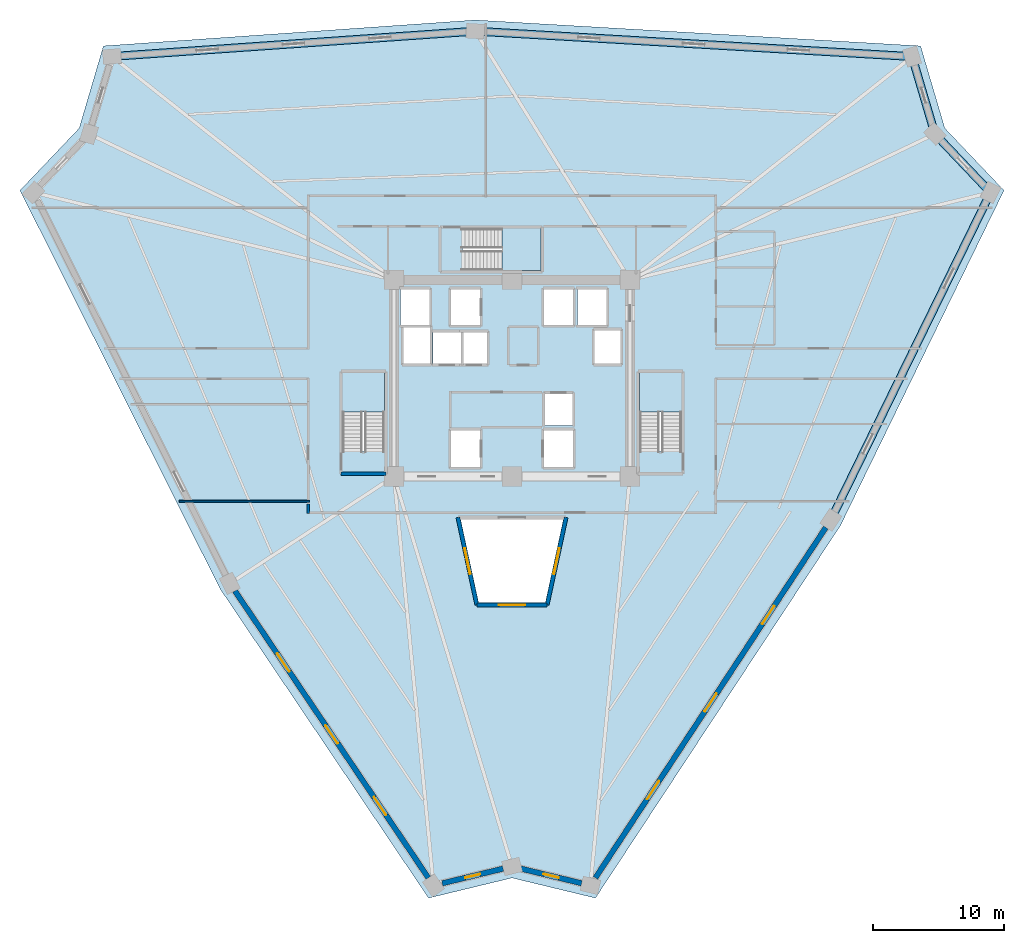
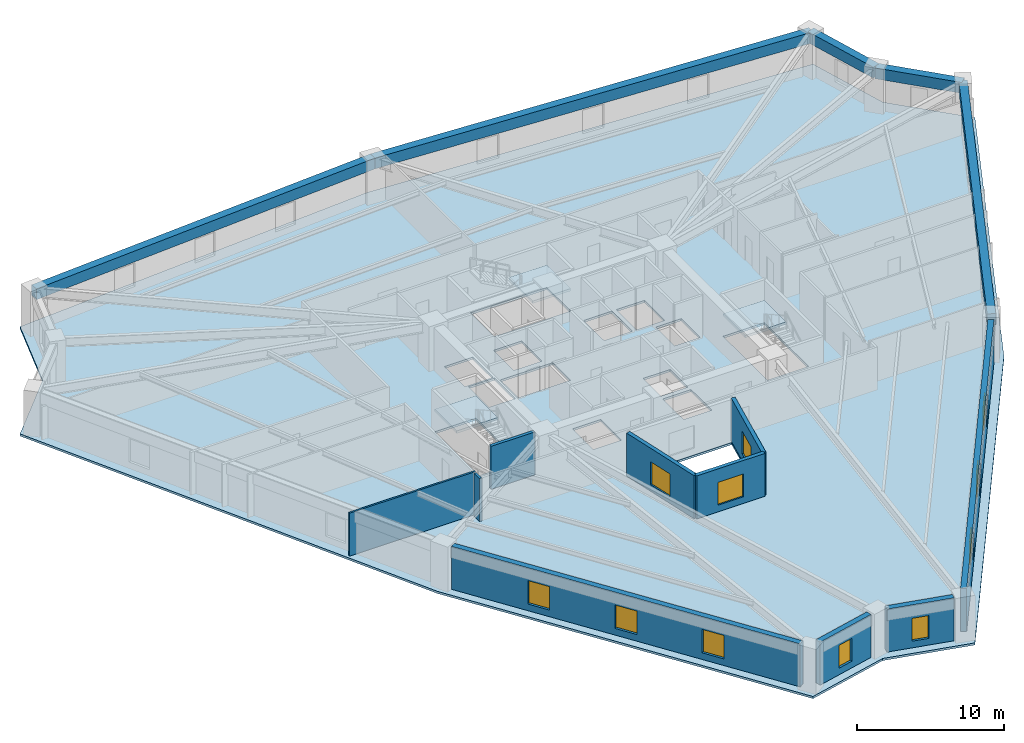
# One storey, part 2 of 7: 11 windows, 10 walls, 5 beams, 4 slabs, 11 openings, 3 elements without a shape of their own.
"""IFC4 building model written with IfcOpenShell, lengths in metres."""

import ifcopenshell
import ifcopenshell.guid

model = None  # the IFC model being written
_history = None  # IfcOwnerHistory: only IFC2X3 demands one
_inside = {}  # id of a spatial element -> (the spatial element, [elements in it])
_under = {}  # id of a project, library or spatial element -> (it, [spatial elements below it])
_declared = {}  # id of a project -> (the project, [libraries it declares])
_typed = {}  # id of a type object -> (the type object, [elements of that type])
_made_of = {}  # id of a material, layer set ... -> (it, [elements and type objects made of it])


def new_model(schema):
    """Start an empty IFC model of exactly this schema.

    Asked for "IFC4X3", IfcOpenShell would pick the latest addendum, in which some entities
    have other attributes; the version numbers below select the first issue.
    IFC2X3 requires an IfcOwnerHistory on every rooted entity: one is made here for all.
    """
    global model, _history
    if schema == "IFC4X3":
        model = ifcopenshell.file(schema_version=(4, 3, 0, 0))
    else:
        model = ifcopenshell.file(schema=schema)
    _inside.clear()
    _under.clear()
    _declared.clear()
    _typed.clear()
    _made_of.clear()
    _history = None
    if model.schema == "IFC2X3":
        org = make("IfcOrganization", Name="unknown")
        user = make(
            "IfcPersonAndOrganization",
            ThePerson=make("IfcPerson", FamilyName="unknown"),
            TheOrganization=org,
        )
        app = make(
            "IfcApplication",
            ApplicationDeveloper=org,
            Version="unknown",
            ApplicationFullName="unknown",
            ApplicationIdentifier="unknown",
        )
        _history = make(
            "IfcOwnerHistory",
            OwningUser=user,
            OwningApplication=app,
            ChangeAction="ADDED",
            CreationDate=0,
        )
    return model


def make(cls, **values):
    """One entity of the class cls with the attributes given. An attribute that is None is left unset."""
    return model.create_entity(
        cls, **{name: value for name, value in values.items() if value is not None}
    )


def rooted(cls, **values):
    """An entity with a GlobalId (a new one), such as an element, a storey or a relation."""
    return make(cls, GlobalId=ifcopenshell.guid.new(), OwnerHistory=_history, **values)


def si_unit(unit_type, name, prefix=None):
    """IfcSIUnit, for example si_unit("LENGTHUNIT", "METRE", prefix="MILLI")."""
    return make("IfcSIUnit", UnitType=unit_type, Prefix=prefix, Name=name)


def assignment(units):
    """IfcUnitAssignment: the units of a project."""
    return None if units is None else make("IfcUnitAssignment", Units=units)


def point(xyz):
    """IfcCartesianPoint."""
    return None if xyz is None else make("IfcCartesianPoint", Coordinates=xyz)


def direction(xyz):
    """IfcDirection."""
    return None if xyz is None else make("IfcDirection", DirectionRatios=xyz)


def frame(location, z_axis=None, x_axis=None):
    """IfcAxis2Placement3D, a coordinate frame: its origin and axes. An axis left out is left unset."""
    return make(
        "IfcAxis2Placement3D",
        Location=point(location),
        Axis=direction(z_axis),
        RefDirection=direction(x_axis),
    )


def frame_2d(location, x_axis=None):
    """IfcAxis2Placement2D, a coordinate frame in the plane: its origin and x axis."""
    return make(
        "IfcAxis2Placement2D", Location=point(location), RefDirection=direction(x_axis)
    )


def origin():
    """The frame at (0, 0, 0) with its axes left unset."""
    return frame((0.0, 0.0, 0.0))


def origin_2d():
    """The frame at (0, 0) in the plane with its x axis left unset."""
    return frame_2d((0.0, 0.0))


def place(relative_to, where):
    """IfcLocalPlacement: puts the frame where relative to a parent placement (None: the world)."""
    return make(
        "IfcLocalPlacement", PlacementRelTo=relative_to, RelativePlacement=where
    )


def context(
    kind, dimensions, precision=None, world=None, true_north=None, identifier=None
):
    """IfcGeometricRepresentationContext, for example the 3D "Model" context."""
    return make(
        "IfcGeometricRepresentationContext",
        ContextIdentifier=identifier,
        ContextType=kind,
        CoordinateSpaceDimension=dimensions,
        Precision=precision,
        WorldCoordinateSystem=world,
        TrueNorth=true_north,
    )


def subcontext(parent, identifier, kind, view, scale=None):
    """IfcGeometricRepresentationSubContext, for example "Body" below "Model"."""
    return make(
        "IfcGeometricRepresentationSubContext",
        ContextIdentifier=identifier,
        ContextType=kind,
        ParentContext=parent,
        TargetScale=scale,
        TargetView=view,
    )


def project(units=None, contexts=None):
    """IfcProject with its units and contexts."""
    return rooted(
        "IfcProject",
        Name="project",
        RepresentationContexts=contexts,
        UnitsInContext=assignment(units),
    )


def spatial(cls, under=None, at=None, **own):
    """A site, building, storey or space (cls), placed at a placement, below another one or the project."""
    s = rooted(cls, ObjectPlacement=at, **own)
    if under is not None:
        _under.setdefault(under.id(), (under, []))[1].append(s)
    return s


def polyline(points):
    """IfcPolyline through the points."""
    return make("IfcPolyline", Points=[point(p) for p in points])


def profile(cls, at=None, kind="AREA", **sizes):
    """A parametric profile (cls). Its sizes go by their IFC names, for example OverallWidth=200.0."""
    return make(cls, ProfileType=kind, Position=at, **sizes)


def rectangle(**sizes):
    """IfcRectangleProfileDef."""
    return profile("IfcRectangleProfileDef", **sizes)


def outline(outer, holes=None, kind="AREA"):
    """IfcArbitraryClosedProfileDef: a profile drawn as a closed curve; with holes, ...WithVoids."""
    if holes is None:
        return make("IfcArbitraryClosedProfileDef", ProfileType=kind, OuterCurve=outer)
    return make(
        "IfcArbitraryProfileDefWithVoids",
        ProfileType=kind,
        OuterCurve=outer,
        InnerCurves=holes,
    )


def extrude(swept, where, along, depth):
    """IfcExtrudedAreaSolid: the profile swept, set in the frame where, extruded along a direction by depth."""
    return make(
        "IfcExtrudedAreaSolid",
        SweptArea=swept,
        Position=where,
        ExtrudedDirection=direction(along),
        Depth=depth,
    )


def shape(context_of_items, identifier, shape_type, items):
    """IfcShapeRepresentation: the items that make up one representation, for example the "Body"."""
    return make(
        "IfcShapeRepresentation",
        ContextOfItems=context_of_items,
        RepresentationIdentifier=identifier,
        RepresentationType=shape_type,
        Items=items,
    )


def source(mapping_origin, context_of_items, identifier, shape_type, items):
    """IfcRepresentationMap: a shape defined once, which mapped items show again and again."""
    return make(
        "IfcRepresentationMap",
        MappingOrigin=mapping_origin,
        MappedRepresentation=shape(context_of_items, identifier, shape_type, items),
    )


def transform(
    local_origin,
    x_axis=None,
    y_axis=None,
    z_axis=None,
    scale=None,
    scale2=None,
    scale3=None,
    uniform=True,
):
    """IfcCartesianTransformationOperator3D, or its non-uniform kind. x_axis, y_axis, z_axis: its Axis1, 2, 3."""
    if uniform:
        return make(
            "IfcCartesianTransformationOperator3D",
            Axis1=direction(x_axis),
            Axis2=direction(y_axis),
            LocalOrigin=point(local_origin),
            Scale=scale,
            Axis3=direction(z_axis),
        )
    return make(
        "IfcCartesianTransformationOperator3DnonUniform",
        Axis1=direction(x_axis),
        Axis2=direction(y_axis),
        LocalOrigin=point(local_origin),
        Scale=scale,
        Axis3=direction(z_axis),
        Scale2=scale2,
        Scale3=scale3,
    )


def mapped(mapping_source, mapping_target):
    """IfcMappedItem: shows the shape of a source again, moved by a transform."""
    return make(
        "IfcMappedItem", MappingSource=mapping_source, MappingTarget=mapping_target
    )


def material(Name=None, Category=None):
    """IfcMaterial."""
    return make("IfcMaterial", Name=Name, Category=Category)


def layer(
    of_material, thickness, ventilated=None, Name=None, Category=None, Priority=None
):
    """IfcMaterialLayer: one layer of a wall or slab, of a material (None: an air gap)."""
    return make(
        "IfcMaterialLayer",
        Material=of_material,
        LayerThickness=thickness,
        IsVentilated=ventilated,
        Name=Name,
        Category=Category,
        Priority=Priority,
    )


def layer_set(layers, Name=None):
    """IfcMaterialLayerSet."""
    return make("IfcMaterialLayerSet", MaterialLayers=layers, LayerSetName=Name)


def material_profile(
    of_material, cross_section, Name=None, Category=None, Priority=None
):
    """IfcMaterialProfile: a cross section and its material."""
    return make(
        "IfcMaterialProfile",
        Name=Name,
        Material=of_material,
        Profile=cross_section,
        Priority=Priority,
        Category=Category,
    )


def profile_set(profiles, Name=None, composite=None):
    """IfcMaterialProfileSet."""
    return make(
        "IfcMaterialProfileSet",
        Name=Name,
        MaterialProfiles=profiles,
        CompositeProfile=composite,
    )


def made_of(thing, what):
    """Note that an element or type object is made of a material, layer set ...; save() writes the relation."""
    if what is not None:
        _made_of.setdefault(what.id(), (what, []))[1].append(thing)
    return thing


def type_object(cls, material=None, **own):
    """A type object (cls), such as IfcWallType, which elements share."""
    return made_of(rooted(cls, **own), material)


def element(
    cls,
    number,
    at=None,
    inside=None,
    cuts=None,
    type_object=None,
    material=None,
    context=None,
    identifier="Body",
    shape_type=None,
    held_by="IfcProductDefinitionShape",
    body=None,
    shapes=None,
    **own,
):
    """One element of the class cls, such as IfcWall. Its Tag is "e" and its number.

    at: its placement. inside: the storey or other place that contains it. cuts: it is an
    opening in that element (IfcRelVoidsElement). A single representation is given by context,
    identifier, shape_type and body (its items); several are given by shapes. held_by: the class
    of the entity that holds the representations. save() writes the other relations.
    """
    e = rooted(cls, Tag="e%d" % number, ObjectPlacement=at, **own)
    if body is not None:
        shapes = [shape(context, identifier, shape_type, body)]
    if shapes is not None:
        e.Representation = make(held_by, Representations=shapes)
    if inside is not None:
        _inside.setdefault(inside.id(), (inside, []))[1].append(e)
    if cuts is not None:
        rooted(
            "IfcRelVoidsElement", RelatingBuildingElement=cuts, RelatedOpeningElement=e
        )
    if type_object is not None:
        _typed.setdefault(type_object.id(), (type_object, []))[1].append(e)
    return made_of(e, material)


def fill(opening, filler):
    """IfcRelFillsElement: the door or window that sits in an opening."""
    return rooted(
        "IfcRelFillsElement",
        RelatingOpeningElement=opening,
        RelatedBuildingElement=filler,
    )


def aggregate(whole, parts):
    """IfcRelAggregates: a whole, such as a stair, and the parts it consists of."""
    return rooted("IfcRelAggregates", RelatingObject=whole, RelatedObjects=parts)


def save(model, path):
    """Write the relations noted so far, then the file.

    IfcRelAggregates (storeys below a building ...), IfcRelContainedInSpatialStructure (elements
    in a storey), IfcRelDefinesByType, IfcRelAssociatesMaterial and IfcRelDeclares: one each for
    every whole, place, type object, material and project.
    """
    for whole, parts in _under.values():
        aggregate(whole, parts)
    for where, things in _inside.values():
        rooted(
            "IfcRelContainedInSpatialStructure",
            RelatedElements=things,
            RelatingStructure=where,
        )
    for kind, things in _typed.values():
        rooted("IfcRelDefinesByType", RelatedObjects=things, RelatingType=kind)
    for what, things in _made_of.values():
        rooted("IfcRelAssociatesMaterial", RelatedObjects=things, RelatingMaterial=what)
    for by, libraries in _declared.values():
        rooted("IfcRelDeclares", RelatingContext=by, RelatedDefinitions=libraries)
    model.write(path)


model = new_model("IFC4")

# Units and contexts
model_context = context("Model", 3, precision=1e-05, world=origin(), true_north=direction((0.0, 1.0)))
body_context = subcontext(model_context, "Body", "Model", "MODEL_VIEW")
ifc_project = project(units=[si_unit("LENGTHUNIT", "METRE"), si_unit("AREAUNIT", "SQUARE_METRE"), si_unit("VOLUMEUNIT", "CUBIC_METRE"), si_unit("PLANEANGLEUNIT", "RADIAN"), si_unit("MASSUNIT", "GRAM", prefix="KILO")], contexts=[model_context])

# Site, building, storey
site_placement = place(None, origin())
site = spatial("IfcSite", under=ifc_project, at=site_placement, CompositionType="ELEMENT")
building_placement = place(site_placement, origin())
building = spatial("IfcBuilding", under=site, at=building_placement, Name="Liaohun Quay Tower", CompositionType="ELEMENT")
storey_placement = place(building_placement, frame((0.0, 0.0, 113.25)))
storey = spatial("IfcBuildingStorey", under=building, at=storey_placement, Name="L29", CompositionType="ELEMENT", Elevation=113.25)

# Beams
ifc_material_1 = material(Name="Precast concrete C55", Category="concrete")
ifc_material_profile = material_profile(ifc_material_1, rectangle(XDim=0.60009765625, YDim=0.89990234375, at=origin_2d()), Name="RC600x900")
ifc_profile_set = profile_set([ifc_material_profile], Name="Precast concrete C55")
beam_type = type_object("IfcBeamType", Name="BM-SPD-Z2", PredefinedType="SPANDREL", material=ifc_profile_set)
shared_shape_1 = source(origin(), body_context, "Body", "SweptSolid", [
    extrude(rectangle(XDim=0.60009765625, YDim=0.89990234375, at=origin_2d()), origin(), (0.0, 0.0, 1.0), 27.793212890625),
])
beam_1_placement = place(storey_placement, frame((29.472900390625, 78.54296875, 3.1201171875), z_axis=(0.997580714148, 0.069517758588, 0.0), x_axis=(-0.069517758588, 0.997580714148, 0.0)))
element("IfcBeam", 1, at=beam_1_placement, inside=storey, type_object=beam_type, Name="L29 Precast Spandrel Beam PC05-PC06", PredefinedType="SPANDREL", context=body_context, shape_type="MappedRepresentation", body=[
    mapped(shared_shape_1, transform((0.0, 0.0, 0.0), x_axis=(1.0, 0.0, 0.0), y_axis=(0.0, 1.0, 0.0), z_axis=(0.0, 0.0, 1.0), scale=1.0)),
])
shared_shape_2 = source(origin(), body_context, "Body", "SweptSolid", [
    extrude(rectangle(XDim=0.60009765625, YDim=0.89990234375, at=origin_2d()), origin(), (0.0, 0.0, 1.0), 33.386474609375),
])
beam_2_placement = place(storey_placement, frame((57.198974609375, 80.47509765625, 3.1201171875), z_axis=(0.99831171537, -0.058083723668, 0.0), x_axis=(0.058083723668, 0.99831171537, 0.0)))
element("IfcBeam", 2, at=beam_2_placement, inside=storey, type_object=beam_type, Name="L29 Precast Spandrel Beam PC06-PC07", PredefinedType="SPANDREL", context=body_context, shape_type="MappedRepresentation", body=[
    mapped(shared_shape_2, transform((0.0, 0.0, 0.0), x_axis=(1.0, 0.0, 0.0), y_axis=(0.0, 1.0, 0.0), z_axis=(0.0, 0.0, 1.0), scale=1.0)),
])
shared_shape_3 = source(origin(), body_context, "Body", "SweptSolid", [
    extrude(rectangle(XDim=0.60009765625, YDim=0.89990234375, at=origin_2d()), origin(), (0.0, 0.0, 1.0), 6.15576171875),
])
beam_3_placement = place(storey_placement, frame((90.529052734375, 78.535888671875, 3.1201171875), z_axis=(0.282657997194, -0.959220754895, 0.0), x_axis=(0.959220754895, 0.282657997194, 0.0)))
element("IfcBeam", 3, at=beam_3_placement, inside=storey, type_object=beam_type, Name="L29 Precast Spandrel Beam PC07-PC08", PredefinedType="SPANDREL", context=body_context, shape_type="MappedRepresentation", body=[
    mapped(shared_shape_3, transform((0.0, 0.0, 0.0), x_axis=(1.0, 0.0, 0.0), y_axis=(0.0, 1.0, 0.0), z_axis=(0.0, 0.0, 1.0), scale=1.0)),
])
shared_shape_4 = source(origin(), body_context, "Body", "SweptSolid", [
    extrude(rectangle(XDim=0.60009765625, YDim=0.89990234375, at=origin_2d()), origin(), (0.0, 0.0, 1.0), 6.164306640625),
])
beam_4_placement = place(storey_placement, frame((92.26904296875, 72.631103515625, 3.1201171875), z_axis=(0.689283238338, -0.724491971899, 0.0), x_axis=(0.724491971899, 0.689283238338, 0.0)))
element("IfcBeam", 4, at=beam_4_placement, inside=storey, type_object=beam_type, Name="L29 Precast Spandrel Beam PC08-PC09", PredefinedType="SPANDREL", context=body_context, shape_type="MappedRepresentation", body=[
    mapped(shared_shape_4, transform((0.0, 0.0, 0.0), x_axis=(1.0, 0.0, 0.0), y_axis=(0.0, 1.0, 0.0), z_axis=(0.0, 0.0, 1.0), scale=1.0)),
])
shared_shape_5 = source(origin(), body_context, "Body", "SweptSolid", [
    extrude(rectangle(XDim=0.60009765625, YDim=0.89990234375, at=origin_2d()), origin(), (0.0, 0.0, 1.0), 27.79248046875),
])
beam_5_placement = place(storey_placement, frame((96.51806640625, 68.1650390625, 3.1201171875), z_axis=(-0.438570044157, -0.898697010326, 0.0), x_axis=(0.898697010326, -0.438570044157, 0.0)))
element("IfcBeam", 5, at=beam_5_placement, inside=storey, type_object=beam_type, Name="L29 Precast Spandrel Beam PC09-PC10", PredefinedType="SPANDREL", context=body_context, shape_type="MappedRepresentation", body=[
    mapped(shared_shape_5, transform((0.0, 0.0, 0.0), x_axis=(1.0, 0.0, 0.0), y_axis=(0.0, 1.0, 0.0), z_axis=(0.0, 0.0, 1.0), scale=1.0)),
])

# Stair, slab
ifc_material_2 = material(Name="Concrete C45", Category="concrete")
stair_type = type_object("IfcStairType", Name="STR-CORE-OFF", PredefinedType="HALF_TURN_STAIR", material=ifc_material_2)
stair_1_placement = place(storey_placement, origin())
stair_1 = element("IfcStair", 6, at=stair_1_placement, inside=storey, type_object=stair_type, Name="L29 Smokeproof Core Exit Stair ST-1", PredefinedType="HALF_TURN_STAIR")
ifc_layer_1 = layer(ifc_material_2, 0.199951171875, Name="Concrete C45", Category="concrete")
ifc_layer_set_1 = layer_set([ifc_layer_1], Name="Concrete C45")
slab_type_1 = type_object("IfcSlabType", Name="SLB-LND-200", PredefinedType="LANDING", material=ifc_layer_set_1)
slab_1_placement = place(storey_placement, frame((0.0, 0.0, 1.675048828125)))
slab_1 = element("IfcSlab", 7, at=slab_1_placement, type_object=slab_type_1, Name="ST-1 landing 1", PredefinedType="LANDING", context=body_context, shape_type="SweptSolid", body=[
    extrude(outline(polyline([(50.280029296875, 51.429931640625), (50.280029296875, 54.419921875), (47.0400390625, 54.419921875), (47.0400390625, 51.429931640625), (50.280029296875, 51.429931640625)])), origin(), (0.0, 0.0, 1.0), 0.199951171875),
])
aggregate(stair_1, [slab_1])

stair_2_placement = place(storey_placement, origin())
stair_2 = element("IfcStair", 8, at=stair_2_placement, inside=storey, type_object=stair_type, Name="L29 Smokeproof Core Exit Stair ST-2", PredefinedType="HALF_TURN_STAIR")
slab_2_placement = place(storey_placement, frame((0.0, 0.0, 1.675048828125)))
slab_2 = element("IfcSlab", 9, at=slab_2_placement, type_object=slab_type_1, Name="ST-2 landing 1", PredefinedType="LANDING", context=body_context, shape_type="SweptSolid", body=[
    extrude(outline(polyline([(72.9599609375, 51.429931640625), (72.9599609375, 54.419921875), (69.719970703125, 54.419921875), (69.719970703125, 51.429931640625), (72.9599609375, 51.429931640625)])), origin(), (0.0, 0.0, 1.0), 0.199951171875),
])
aggregate(stair_2, [slab_2])

stair_3_placement = place(storey_placement, origin())
stair_3 = element("IfcStair", 10, at=stair_3_placement, inside=storey, type_object=stair_type, Name="L29 Smokeproof Core Exit Stair ST-3", PredefinedType="HALF_TURN_STAIR")
slab_3_placement = place(storey_placement, frame((0.0, 0.0, 1.675048828125)))
slab_3 = element("IfcSlab", 11, at=slab_3_placement, type_object=slab_type_1, Name="ST-3 landing 1", PredefinedType="LANDING", context=body_context, shape_type="SweptSolid", body=[
    extrude(outline(polyline([(59.22998046875, 62.199951171875), (62.219970703125, 62.199951171875), (62.219970703125, 65.43994140625), (59.22998046875, 65.43994140625), (59.22998046875, 62.199951171875)])), origin(), (0.0, 0.0, 1.0), 0.199951171875),
])
aggregate(stair_3, [slab_3])

# Slab
ifc_layer_2 = layer(ifc_material_2, 0.179931640625, Name="Concrete C45", Category="concrete")
ifc_layer_set_2 = layer_set([ifc_layer_2], Name="Concrete C45")
slab_type_2 = type_object("IfcSlabType", Name="SLB-OFF-180", PredefinedType="FLOOR", material=ifc_layer_set_2)
slab_4_placement = place(storey_placement, frame((0.0, 0.0, -0.179931640625)))
element("IfcSlab", 12, at=slab_4_placement, inside=storey, type_object=slab_type_2, Name="L29 Structural Floor Slab", PredefinedType="FLOOR", context=body_context, shape_type="SweptSolid", body=[
    extrude(outline(polyline([(53.633056640625, 14.326904296875), (60.0, 15.864013671875), (66.366943359375, 14.326904296875), (85.069091796875, 42.76611328125), (97.541015625, 68.322998046875), (93.02587890625, 73.068115234375), (91.175048828125, 79.35009765625), (57.194091796875, 81.326904296875), (28.824951171875, 79.35009765625), (26.97412109375, 73.068115234375), (22.458984375, 68.322998046875), (37.737060546875, 37.906982421875), (53.633056640625, 14.326904296875)]), holes=[polyline([(57.56005859375, 50.030029296875), (55.340087890625, 50.030029296875), (55.340087890625, 47.2099609375), (57.56005859375, 47.2099609375), (57.56005859375, 50.030029296875)]), polyline([(50.280029296875, 54.419921875), (47.0400390625, 54.419921875), (47.0400390625, 48.409912109375), (50.280029296875, 48.409912109375), (50.280029296875, 54.419921875)]), polyline([(53.989990234375, 55.090087890625), (58.110107421875, 55.090087890625), (58.110107421875, 57.510009765625), (53.989990234375, 57.510009765625), (53.989990234375, 55.090087890625)]), polyline([(53.760009765625, 55.090087890625), (53.760009765625, 57.909912109375), (51.7099609375, 57.909912109375), (51.7099609375, 55.090087890625), (53.760009765625, 55.090087890625)]), polyline([(53.7099609375, 58.0400390625), (53.7099609375, 60.7900390625), (51.489990234375, 60.7900390625), (51.489990234375, 58.0400390625), (53.7099609375, 58.0400390625)]), polyline([(57.56005859375, 58.0400390625), (57.56005859375, 60.7900390625), (55.340087890625, 60.7900390625), (55.340087890625, 58.0400390625), (57.56005859375, 58.0400390625)]), polyline([(62.219970703125, 62.199951171875), (62.219970703125, 65.43994140625), (56.2099609375, 65.43994140625), (56.2099609375, 62.199951171875), (62.219970703125, 62.199951171875)]), polyline([(62.5439453125, 36.862060546875), (63.9140625, 43.199951171875), (56.0859375, 43.199951171875), (57.4560546875, 36.862060546875), (62.5439453125, 36.862060546875)]), polyline([(64.659912109375, 47.2099609375), (64.659912109375, 50.030029296875), (62.43994140625, 50.030029296875), (62.43994140625, 47.2099609375), (64.659912109375, 47.2099609375)]), polyline([(72.9599609375, 54.419921875), (69.719970703125, 54.419921875), (69.719970703125, 48.409912109375), (72.9599609375, 48.409912109375), (72.9599609375, 54.419921875)]), polyline([(64.610107421875, 50.389892578125), (64.610107421875, 52.81005859375), (62.489990234375, 52.81005859375), (62.489990234375, 50.389892578125), (64.610107421875, 50.389892578125)]), polyline([(68.2900390625, 55.090087890625), (68.2900390625, 57.659912109375), (66.2900390625, 57.659912109375), (66.2900390625, 55.090087890625), (68.2900390625, 55.090087890625)]), polyline([(64.659912109375, 58.0400390625), (64.659912109375, 60.7900390625), (62.43994140625, 60.7900390625), (62.43994140625, 58.0400390625), (64.659912109375, 58.0400390625)]), polyline([(67.2099609375, 58.0400390625), (67.2099609375, 60.7900390625), (64.989990234375, 60.7900390625), (64.989990234375, 58.0400390625), (67.2099609375, 58.0400390625)])]), origin(), (0.0, 0.0, 1.0), 0.179931640625),
])

# Wall, opening, window
ifc_material_3 = material(Name="Concrete C50", Category="concrete")
ifc_layer_3 = layer(ifc_material_3, 0.300048828125, Name="Concrete C50", Category="concrete")
ifc_layer_set_3 = layer_set([ifc_layer_3], Name="Concrete C50")
wall_type_1 = type_object("IfcWallType", Name="WAL-ATR-300", PredefinedType="SOLIDWALL", material=ifc_layer_set_3)
wall_1_placement = place(storey_placement, frame((57.319091796875, 36.69189453125, 0.0), z_axis=(0.0, 0.0, 1.0), x_axis=(-0.211354012172, 0.977409577168, 0.0)))
wall_1 = element("IfcWall", 13, at=wall_1_placement, inside=storey, type_object=wall_type_1, Name="L29 Atrium Fire Compartment Wall 1", PredefinedType="SOLIDWALL", context=body_context, shape_type="SweptSolid", body=[
    extrude(rectangle(XDim=6.83251953125, YDim=0.300048828125, at=frame_2d((3.416259765625, 0.0))), origin(), (0.0, 0.0, 1.0), 3.570068359375),
])
shared_shape_6 = source(origin(), body_context, "Body", "SweptSolid", [
    extrude(rectangle(XDim=2.0, YDim=1.89990234375, at=frame_2d((1.0, 0.949951171875))), frame((0.0, 0.159912109375, 0.0), z_axis=(0.0, -1.0, 0.0), x_axis=(1.0, 0.0, 0.0)), (0.0, 0.0, 1.0), 0.320068359375),
])
opening_1_placement = place(wall_1_placement, frame((2.416015625, 0.0, 0.550048828125)))
opening_1 = element("IfcOpeningElement", 14, at=opening_1_placement, cuts=wall_1, Name="Opening W07", PredefinedType="OPENING", context=body_context, shape_type="MappedRepresentation", body=[
    mapped(shared_shape_6, transform((0.0, 0.0, 0.0), x_axis=(1.0, 0.0, 0.0), y_axis=(0.0, 1.0, 0.0), z_axis=(0.0, 0.0, 1.0), scale=1.0)),
])
ifc_material_4 = material(Name="Class A 180-min fire-resistant insulated glazing", Category="glass")
window_type_1 = type_object("IfcWindowType", Name="WIN-ATR-FIR", PartitioningType="DOUBLE_PANEL_VERTICAL", PredefinedType="WINDOW", material=ifc_material_4)
shared_shape_7 = source(origin(), body_context, "Body", "SweptSolid", [
    extrude(rectangle(XDim=2.0, YDim=1.89990234375, at=frame_2d((1.0, 0.949951171875))), frame((0.0, 0.030029296875, 0.0), z_axis=(0.0, -1.0, 0.0), x_axis=(1.0, 0.0, 0.0)), (0.0, 0.0, 1.0), 0.06005859375),
])
window_1_placement = place(opening_1_placement, origin())
window_1 = element("IfcWindow", 15, at=window_1_placement, inside=storey, type_object=window_type_1, Name="L29 Atrium Fire-Resistant Glazing W07-1", OverallHeight=1.89990234375, OverallWidth=2.0, PartitioningType="DOUBLE_PANEL_VERTICAL", PredefinedType="WINDOW", context=body_context, shape_type="MappedRepresentation", body=[
    mapped(shared_shape_7, transform((0.0, 0.0, 0.0), x_axis=(1.0, 0.0, 0.0), y_axis=(0.0, 1.0, 0.0), z_axis=(0.0, 0.0, 1.0), scale=1.0)),
])
fill(opening_1, window_1)

wall_2_placement = place(storey_placement, frame((64.125, 43.3701171875, 0.0), z_axis=(0.0, 0.0, 1.0), x_axis=(-0.211354012172, -0.977409577168, 0.0)))
wall_2 = element("IfcWall", 16, at=wall_2_placement, inside=storey, type_object=wall_type_1, Name="L29 Atrium Fire Compartment Wall 3", PredefinedType="SOLIDWALL", context=body_context, shape_type="SweptSolid", body=[
    extrude(rectangle(XDim=6.83251953125, YDim=0.300048828125, at=frame_2d((3.416259765625, 0.0))), origin(), (0.0, 0.0, 1.0), 3.570068359375),
])
opening_2_placement = place(wall_2_placement, frame((2.416015625, 0.0, 0.550048828125)))
opening_2 = element("IfcOpeningElement", 17, at=opening_2_placement, cuts=wall_2, Name="Opening W07", PredefinedType="OPENING", context=body_context, shape_type="MappedRepresentation", body=[
    mapped(shared_shape_6, transform((0.0, 0.0, 0.0), x_axis=(1.0, 0.0, 0.0), y_axis=(0.0, 1.0, 0.0), z_axis=(0.0, 0.0, 1.0), scale=1.0)),
])
window_2_placement = place(opening_2_placement, origin())
window_2 = element("IfcWindow", 18, at=window_2_placement, inside=storey, type_object=window_type_1, Name="L29 Atrium Fire-Resistant Glazing W07-3", OverallHeight=1.89990234375, OverallWidth=2.0, PartitioningType="DOUBLE_PANEL_VERTICAL", PredefinedType="WINDOW", context=body_context, shape_type="MappedRepresentation", body=[
    mapped(shared_shape_7, transform((0.0, 0.0, 0.0), x_axis=(1.0, 0.0, 0.0), y_axis=(0.0, 1.0, 0.0), z_axis=(0.0, 0.0, 1.0), scale=1.0)),
])
fill(opening_2, window_2)

wall_3_placement = place(storey_placement, frame((62.680908203125, 36.69189453125, 0.0), z_axis=(0.0, 0.0, 1.0), x_axis=(-1.0, 0.0, 0.0)))
wall_3 = element("IfcWall", 19, at=wall_3_placement, inside=storey, type_object=wall_type_1, Name="L29 Atrium Fire Compartment Wall 4", PredefinedType="SOLIDWALL", context=body_context, shape_type="SweptSolid", body=[
    extrude(rectangle(XDim=5.36181640625, YDim=0.300048828125, at=frame_2d((2.680908203125, 0.0))), origin(), (0.0, 0.0, 1.0), 3.570068359375),
])
opening_3_placement = place(wall_3_placement, frame((1.680908203125, 0.0, 0.550048828125)))
opening_3 = element("IfcOpeningElement", 20, at=opening_3_placement, cuts=wall_3, Name="Opening W07", PredefinedType="OPENING", context=body_context, shape_type="MappedRepresentation", body=[
    mapped(shared_shape_6, transform((0.0, 0.0, 0.0), x_axis=(1.0, 0.0, 0.0), y_axis=(0.0, 1.0, 0.0), z_axis=(0.0, 0.0, 1.0), scale=1.0)),
])
window_3_placement = place(opening_3_placement, origin())
window_3 = element("IfcWindow", 21, at=window_3_placement, inside=storey, type_object=window_type_1, Name="L29 Atrium Fire-Resistant Glazing W07-4", OverallHeight=1.89990234375, OverallWidth=2.0, PartitioningType="DOUBLE_PANEL_VERTICAL", PredefinedType="WINDOW", context=body_context, shape_type="MappedRepresentation", body=[
    mapped(shared_shape_7, transform((0.0, 0.0, 0.0), x_axis=(1.0, 0.0, 0.0), y_axis=(0.0, 1.0, 0.0), z_axis=(0.0, 0.0, 1.0), scale=1.0)),
])
fill(opening_3, window_3)

ifc_material_5 = material(Name="Precast concrete C50 insulated sandwich", Category="concrete")
ifc_layer_4 = layer(ifc_material_5, 0.419921875, Name="Precast concrete C50 insulated sandwich", Category="concrete")
ifc_layer_set_4 = layer_set([ifc_layer_4], Name="Precast concrete C50 insulated sandwich")
wall_type_2 = type_object("IfcWallType", Name="WAL-EXT-Z12", PredefinedType="SOLIDWALL", material=ifc_layer_set_4)
wall_4_placement = place(storey_placement, frame((60.6708984375, 16.575927734375, 0.0), z_axis=(0.0, 0.0, 1.0), x_axis=(0.972123603118, -0.23446897505, 0.0)))
wall_4 = element("IfcWall", 22, at=wall_4_placement, inside=storey, type_object=wall_type_2, Name="L29 Brutalist Precast Pier Wall 01", PredefinedType="SOLIDWALL", context=body_context, shape_type="SweptSolid", body=[
    extrude(rectangle(XDim=4.776123046875, YDim=0.419921875, at=frame_2d((2.38818359375, 0.0))), origin(), (0.0, 0.0, 1.0), 3.570068359375),
])
shared_shape_8 = source(origin(), body_context, "Body", "SweptSolid", [
    extrude(rectangle(XDim=1.199951171875, YDim=1.89990234375, at=frame_2d((0.60009765625, 0.949951171875))), frame((0.0, 0.219970703125, 0.0), z_axis=(0.0, -1.0, 0.0), x_axis=(1.0, 0.0, 0.0)), (0.0, 0.0, 1.0), 0.43994140625),
])
opening_4_placement = place(wall_4_placement, frame((1.7880859375, 0.0, 0.550048828125)))
opening_4 = element("IfcOpeningElement", 23, at=opening_4_placement, cuts=wall_4, Name="Opening W05", PredefinedType="OPENING", context=body_context, shape_type="MappedRepresentation", body=[
    mapped(shared_shape_8, transform((0.0, 0.0, 0.0), x_axis=(1.0, 0.0, 0.0), y_axis=(0.0, 1.0, 0.0), z_axis=(0.0, 0.0, 1.0), scale=1.0)),
])
ifc_material_6 = material(Name="Triple Low-E corner notch glazing", Category="glass")
window_type_2 = type_object("IfcWindowType", Name="WIN-NOTCH", PartitioningType="SINGLE_PANEL", PredefinedType="WINDOW", material=ifc_material_6)
shared_shape_9 = source(origin(), body_context, "Body", "SweptSolid", [
    extrude(rectangle(XDim=1.199951171875, YDim=1.89990234375, at=frame_2d((0.60009765625, 0.949951171875))), frame((0.0, 0.030029296875, 0.0), z_axis=(0.0, -1.0, 0.0), x_axis=(1.0, 0.0, 0.0)), (0.0, 0.0, 1.0), 0.06005859375),
])
window_4_placement = place(opening_4_placement, origin())
window_4 = element("IfcWindow", 24, at=window_4_placement, inside=storey, type_object=window_type_2, Name="L29 Corner Notch Window W05-01", OverallHeight=1.89990234375, OverallWidth=1.199951171875, PartitioningType="SINGLE_PANEL", PredefinedType="WINDOW", context=body_context, shape_type="MappedRepresentation", body=[
    mapped(shared_shape_9, transform((0.0, 0.0, 0.0), x_axis=(1.0, 0.0, 0.0), y_axis=(0.0, 1.0, 0.0), z_axis=(0.0, 0.0, 1.0), scale=1.0)),
])
fill(opening_4, window_4)

# Wall, openings, windows
wall_5_placement = place(storey_placement, frame((66.364013671875, 15.87109375, 0.0), z_axis=(0.0, 0.0, 1.0), x_axis=(0.549482134423, 0.83550546614, 0.0)))
wall_5 = element("IfcWall", 25, at=wall_5_placement, inside=storey, type_object=wall_type_2, Name="L29 Brutalist Precast Pier Wall 02", PredefinedType="SOLIDWALL", context=body_context, shape_type="SweptSolid", body=[
    extrude(rectangle(XDim=32.004638671875, YDim=0.419921875, at=frame_2d((16.00244140625, 0.0))), origin(), (0.0, 0.0, 1.0), 3.570068359375),
])
shared_shape_10 = source(origin(), body_context, "Body", "SweptSolid", [
    extrude(rectangle(XDim=1.64990234375, YDim=1.949951171875, at=frame_2d((0.824951171875, 0.97509765625))), frame((0.0, 0.219970703125, 0.0), z_axis=(0.0, -1.0, 0.0), x_axis=(1.0, 0.0, 0.0)), (0.0, 0.0, 1.0), 0.43994140625),
])
opening_5_placement = place(wall_5_placement, frame((7.176025390625, 0.0, 0.550048828125)))
opening_5 = element("IfcOpeningElement", 26, at=opening_5_placement, cuts=wall_5, Name="Opening W02", PredefinedType="OPENING", context=body_context, shape_type="MappedRepresentation", body=[
    mapped(shared_shape_10, transform((0.0, 0.0, 0.0), x_axis=(1.0, 0.0, 0.0), y_axis=(0.0, 1.0, 0.0), z_axis=(0.0, 0.0, 1.0), scale=1.0)),
])
opening_6_placement = place(wall_5_placement, frame((15.177001953125, 0.0, 0.550048828125)))
opening_6 = element("IfcOpeningElement", 27, at=opening_6_placement, cuts=wall_5, Name="Opening W02", PredefinedType="OPENING", context=body_context, shape_type="MappedRepresentation", body=[
    mapped(shared_shape_10, transform((0.0, 0.0, 0.0), x_axis=(1.0, 0.0, 0.0), y_axis=(0.0, 1.0, 0.0), z_axis=(0.0, 0.0, 1.0), scale=1.0)),
])
opening_7_placement = place(wall_5_placement, frame((23.177978515625, 0.0, 0.550048828125)))
opening_7 = element("IfcOpeningElement", 28, at=opening_7_placement, cuts=wall_5, Name="Opening W02", PredefinedType="OPENING", context=body_context, shape_type="MappedRepresentation", body=[
    mapped(shared_shape_10, transform((0.0, 0.0, 0.0), x_axis=(1.0, 0.0, 0.0), y_axis=(0.0, 1.0, 0.0), z_axis=(0.0, 0.0, 1.0), scale=1.0)),
])
ifc_material_7 = material(Name="Triple Low-E argon glazing in thermally broken aluminium", Category="aluminium")
window_type_3 = type_object("IfcWindowType", Name="WIN-PUN-Z2", PartitioningType="DOUBLE_PANEL_VERTICAL", PredefinedType="WINDOW", material=ifc_material_7)
shared_shape_11 = source(origin(), body_context, "Body", "SweptSolid", [
    extrude(rectangle(XDim=1.64990234375, YDim=1.949951171875, at=frame_2d((0.824951171875, 0.97509765625))), frame((0.0, 0.030029296875, 0.0), z_axis=(0.0, -1.0, 0.0), x_axis=(1.0, 0.0, 0.0)), (0.0, 0.0, 1.0), 0.06005859375),
])
window_5_placement = place(opening_5_placement, origin())
window_5 = element("IfcWindow", 29, at=window_5_placement, inside=storey, type_object=window_type_3, Name="L29 Recessed Cold-Climate Punched Window 02-1", OverallHeight=1.949951171875, OverallWidth=1.64990234375, PartitioningType="DOUBLE_PANEL_VERTICAL", PredefinedType="WINDOW", context=body_context, shape_type="MappedRepresentation", body=[
    mapped(shared_shape_11, transform((0.0, 0.0, 0.0), x_axis=(1.0, 0.0, 0.0), y_axis=(0.0, 1.0, 0.0), z_axis=(0.0, 0.0, 1.0), scale=1.0)),
])
fill(opening_5, window_5)
window_6_placement = place(opening_6_placement, origin())
window_6 = element("IfcWindow", 30, at=window_6_placement, inside=storey, type_object=window_type_3, Name="L29 Recessed Cold-Climate Punched Window 02-2", OverallHeight=1.949951171875, OverallWidth=1.64990234375, PartitioningType="DOUBLE_PANEL_VERTICAL", PredefinedType="WINDOW", context=body_context, shape_type="MappedRepresentation", body=[
    mapped(shared_shape_11, transform((0.0, 0.0, 0.0), x_axis=(1.0, 0.0, 0.0), y_axis=(0.0, 1.0, 0.0), z_axis=(0.0, 0.0, 1.0), scale=1.0)),
])
fill(opening_6, window_6)
window_7_placement = place(opening_7_placement, origin())
window_7 = element("IfcWindow", 31, at=window_7_placement, inside=storey, type_object=window_type_3, Name="L29 Recessed Cold-Climate Punched Window 02-3", OverallHeight=1.949951171875, OverallWidth=1.64990234375, PartitioningType="DOUBLE_PANEL_VERTICAL", PredefinedType="WINDOW", context=body_context, shape_type="MappedRepresentation", body=[
    mapped(shared_shape_11, transform((0.0, 0.0, 0.0), x_axis=(1.0, 0.0, 0.0), y_axis=(0.0, 1.0, 0.0), z_axis=(0.0, 0.0, 1.0), scale=1.0)),
])
fill(opening_7, window_7)

wall_6_placement = place(storey_placement, frame((38.85791015625, 37.764892578125, 0.0), z_axis=(0.0, 0.0, 1.0), x_axis=(0.558980308559, -0.82918092998, 0.0)))
wall_6 = element("IfcWall", 32, at=wall_6_placement, inside=storey, type_object=wall_type_2, Name="L29 Brutalist Precast Pier Wall 11", PredefinedType="SOLIDWALL", context=body_context, shape_type="SweptSolid", body=[
    extrude(rectangle(XDim=26.41259765625, YDim=0.419921875, at=frame_2d((13.206298828125, 0.0))), origin(), (0.0, 0.0, 1.0), 3.570068359375),
])
opening_8_placement = place(wall_6_placement, frame((5.778076171875, 0.0, 0.550048828125)))
opening_8 = element("IfcOpeningElement", 33, at=opening_8_placement, cuts=wall_6, Name="Opening W02", PredefinedType="OPENING", context=body_context, shape_type="MappedRepresentation", body=[
    mapped(shared_shape_10, transform((0.0, 0.0, 0.0), x_axis=(1.0, 0.0, 0.0), y_axis=(0.0, 1.0, 0.0), z_axis=(0.0, 0.0, 1.0), scale=1.0)),
])
opening_9_placement = place(wall_6_placement, frame((12.381103515625, 0.0, 0.550048828125)))
opening_9 = element("IfcOpeningElement", 34, at=opening_9_placement, cuts=wall_6, Name="Opening W02", PredefinedType="OPENING", context=body_context, shape_type="MappedRepresentation", body=[
    mapped(shared_shape_10, transform((0.0, 0.0, 0.0), x_axis=(1.0, 0.0, 0.0), y_axis=(0.0, 1.0, 0.0), z_axis=(0.0, 0.0, 1.0), scale=1.0)),
])
opening_10_placement = place(wall_6_placement, frame((18.985107421875, 0.0, 0.550048828125)))
opening_10 = element("IfcOpeningElement", 35, at=opening_10_placement, cuts=wall_6, Name="Opening W02", PredefinedType="OPENING", context=body_context, shape_type="MappedRepresentation", body=[
    mapped(shared_shape_10, transform((0.0, 0.0, 0.0), x_axis=(1.0, 0.0, 0.0), y_axis=(0.0, 1.0, 0.0), z_axis=(0.0, 0.0, 1.0), scale=1.0)),
])
window_8_placement = place(opening_8_placement, origin())
window_8 = element("IfcWindow", 36, at=window_8_placement, inside=storey, type_object=window_type_3, Name="L29 Recessed Cold-Climate Punched Window 11-1", OverallHeight=1.949951171875, OverallWidth=1.64990234375, PartitioningType="DOUBLE_PANEL_VERTICAL", PredefinedType="WINDOW", context=body_context, shape_type="MappedRepresentation", body=[
    mapped(shared_shape_11, transform((0.0, 0.0, 0.0), x_axis=(1.0, 0.0, 0.0), y_axis=(0.0, 1.0, 0.0), z_axis=(0.0, 0.0, 1.0), scale=1.0)),
])
fill(opening_8, window_8)
window_9_placement = place(opening_9_placement, origin())
window_9 = element("IfcWindow", 37, at=window_9_placement, inside=storey, type_object=window_type_3, Name="L29 Recessed Cold-Climate Punched Window 11-2", OverallHeight=1.949951171875, OverallWidth=1.64990234375, PartitioningType="DOUBLE_PANEL_VERTICAL", PredefinedType="WINDOW", context=body_context, shape_type="MappedRepresentation", body=[
    mapped(shared_shape_11, transform((0.0, 0.0, 0.0), x_axis=(1.0, 0.0, 0.0), y_axis=(0.0, 1.0, 0.0), z_axis=(0.0, 0.0, 1.0), scale=1.0)),
])
fill(opening_9, window_9)
window_10_placement = place(opening_10_placement, origin())
window_10 = element("IfcWindow", 38, at=window_10_placement, inside=storey, type_object=window_type_3, Name="L29 Recessed Cold-Climate Punched Window 11-3", OverallHeight=1.949951171875, OverallWidth=1.64990234375, PartitioningType="DOUBLE_PANEL_VERTICAL", PredefinedType="WINDOW", context=body_context, shape_type="MappedRepresentation", body=[
    mapped(shared_shape_11, transform((0.0, 0.0, 0.0), x_axis=(1.0, 0.0, 0.0), y_axis=(0.0, 1.0, 0.0), z_axis=(0.0, 0.0, 1.0), scale=1.0)),
])
fill(opening_10, window_10)

# Wall, opening, window
wall_7_placement = place(storey_placement, frame((54.678955078125, 15.4541015625, 0.0), z_axis=(0.0, 0.0, 1.0), x_axis=(0.972111905775, 0.234517467687, 0.0)))
wall_7 = element("IfcWall", 39, at=wall_7_placement, inside=storey, type_object=wall_type_2, Name="L29 Brutalist Precast Pier Wall 12", PredefinedType="SOLIDWALL", context=body_context, shape_type="SweptSolid", body=[
    extrude(rectangle(XDim=4.783447265625, YDim=0.419921875, at=frame_2d((2.3916015625, 0.0))), origin(), (0.0, 0.0, 1.0), 3.570068359375),
])
opening_11_placement = place(wall_7_placement, frame((1.7919921875, 0.0, 0.550048828125)))
opening_11 = element("IfcOpeningElement", 40, at=opening_11_placement, cuts=wall_7, Name="Opening W05", PredefinedType="OPENING", context=body_context, shape_type="MappedRepresentation", body=[
    mapped(shared_shape_8, transform((0.0, 0.0, 0.0), x_axis=(1.0, 0.0, 0.0), y_axis=(0.0, 1.0, 0.0), z_axis=(0.0, 0.0, 1.0), scale=1.0)),
])
window_11_placement = place(opening_11_placement, origin())
window_11 = element("IfcWindow", 41, at=window_11_placement, inside=storey, type_object=window_type_2, Name="L29 Corner Notch Window W05-12", OverallHeight=1.89990234375, OverallWidth=1.199951171875, PartitioningType="SINGLE_PANEL", PredefinedType="WINDOW", context=body_context, shape_type="MappedRepresentation", body=[
    mapped(shared_shape_9, transform((0.0, 0.0, 0.0), x_axis=(1.0, 0.0, 0.0), y_axis=(0.0, 1.0, 0.0), z_axis=(0.0, 0.0, 1.0), scale=1.0)),
])
fill(opening_11, window_11)

# Walls
ifc_material_8 = material(Name="Autoclaved aerated concrete blockwork", Category="masonry")
ifc_layer_5 = layer(ifc_material_8, 0.179931640625, Name="Autoclaved aerated concrete blockwork", Category="masonry")
ifc_layer_set_5 = layer_set([ifc_layer_5], Name="Autoclaved aerated concrete blockwork")
wall_type_3 = type_object("IfcWallType", Name="WAL-PRT-COR", PredefinedType="PARTITIONING", material=ifc_layer_set_5)
wall_8_placement = place(storey_placement, frame((44.43994140625, 43.669921875, 0.0), z_axis=(0.0, 0.0, 1.0), x_axis=(0.0, 1.0, 0.0)))
element("IfcWall", 42, at=wall_8_placement, inside=storey, type_object=wall_type_3, Name="L29 Interior Partition Wall 034", PredefinedType="PARTITIONING", context=body_context, shape_type="SweptSolid", body=[
    extrude(rectangle(XDim=0.715087890625, YDim=0.179931640625, at=frame_2d((0.357421875, 0.0))), origin(), (0.0, 0.0, 1.0), 3.570068359375),
])
ifc_material_9 = material(Name="Gypsum board on twin steel studs", Category="steel")
ifc_layer_6 = layer(ifc_material_9, 0.139892578125, Name="Gypsum board on twin steel studs", Category="steel")
ifc_layer_set_6 = layer_set([ifc_layer_6], Name="Gypsum board on twin steel studs")
wall_type_4 = type_object("IfcWallType", Name="WAL-PRT-OFF", PredefinedType="PARTITIONING", material=ifc_layer_set_6)
wall_9_placement = place(storey_placement, frame((44.5400390625, 44.60009765625, 0.0), z_axis=(0.0, 0.0, 1.0), x_axis=(-1.0, 0.0, 0.0)))
element("IfcWall", 43, at=wall_9_placement, inside=storey, type_object=wall_type_4, Name="L29 Interior Partition Wall 037", PredefinedType="PARTITIONING", context=body_context, shape_type="SweptSolid", body=[
    extrude(rectangle(XDim=9.9189453125, YDim=0.139892578125, at=frame_2d((4.95947265625, 0.0))), origin(), (0.0, 0.0, 1.0), 3.570068359375),
])
ifc_layer_7 = layer(ifc_material_3, 0.239990234375, Name="Concrete C50", Category="concrete")
ifc_layer_set_7 = layer_set([ifc_layer_7], Name="Concrete C50")
wall_type_5 = type_object("IfcWallType", Name="WAL-SHF-200", PredefinedType="SOLIDWALL", material=ifc_layer_set_7)
wall_10_placement = place(storey_placement, frame((46.93994140625, 46.699951171875, 0.0), z_axis=(0.0, 0.0, 1.0), x_axis=(1.0, 0.0, 0.0)))
element("IfcWall", 44, at=wall_10_placement, inside=storey, type_object=wall_type_5, Name="L29 Stairwell ST-1 Structural Core Wall S", PredefinedType="SOLIDWALL", context=body_context, shape_type="SweptSolid", body=[
    extrude(rectangle(XDim=3.43994140625, YDim=0.239990234375, at=frame_2d((1.719970703125, 0.0))), origin(), (0.0, 0.0, 1.0), 3.570068359375),
])

save(model, "model.ifc")
